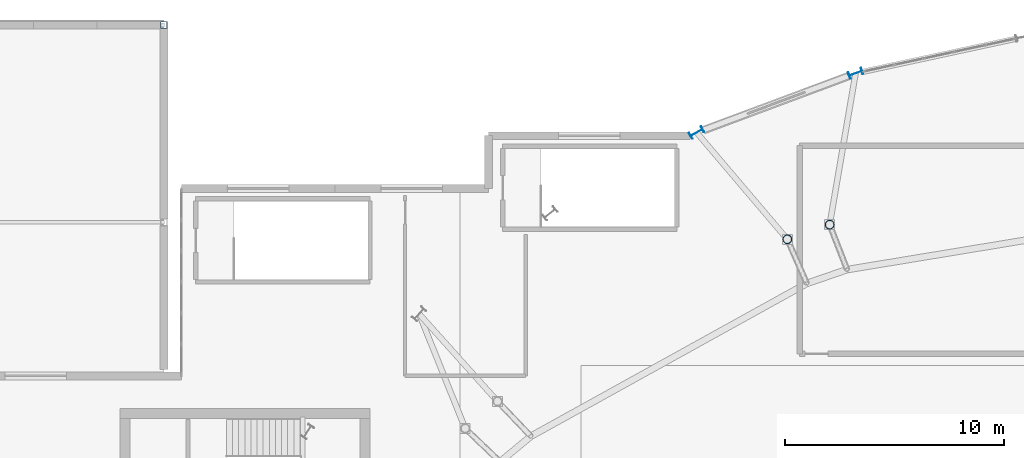
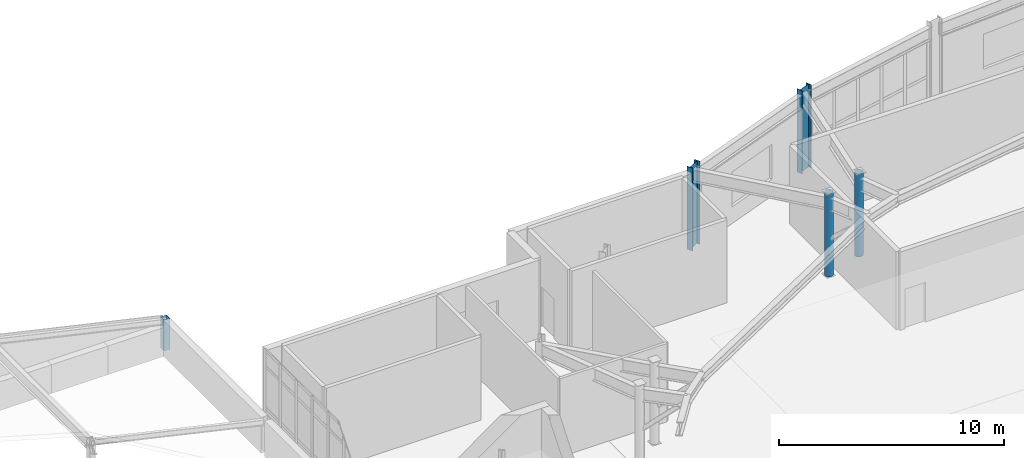
# One storey, part 9 of 48: 5 columns.
"""IFC4 building model written with IfcOpenShell, lengths in metres."""

from ifc_helpers import new_model, si_unit, direction, frame, origin, origin_2d, place, context, subcontext, project, spatial, hollow_rectangle, hollow_circle, i_section, extrude, material, material_profile, profile_set, type_object, element, save


model = new_model("IFC4")

# Units and contexts
model_context = context("Model", 3, precision=1e-05, world=origin(), true_north=direction((0.0, 1.0)))
body_context = subcontext(model_context, "Body", "Model", "MODEL_VIEW")
ifc_project = project(units=[si_unit("LENGTHUNIT", "METRE"), si_unit("AREAUNIT", "SQUARE_METRE"), si_unit("VOLUMEUNIT", "CUBIC_METRE"), si_unit("PLANEANGLEUNIT", "RADIAN"), si_unit("MASSUNIT", "GRAM", prefix="KILO")], contexts=[model_context])

# Site, building, storey
site_placement = place(None, origin())
site = spatial("IfcSite", under=ifc_project, at=site_placement, CompositionType="ELEMENT")
building_placement = place(site_placement, origin())
building = spatial("IfcBuilding", under=site, at=building_placement, Name="Glasvene Arena", CompositionType="ELEMENT")
storey_placement = place(building_placement, frame((0.0, 0.0, 19.5)))
storey = spatial("IfcBuildingStorey", under=building, at=storey_placement, Name="L04", CompositionType="ELEMENT", Elevation=19.5)

# Columns
ifc_material = material(Name="Steel S355J2", Category="steel")
ifc_material_profile_1 = material_profile(ifc_material, i_section(OverallWidth=0.300048828125, OverallDepth=0.64990234375, WebThickness=0.01611328125, FlangeThickness=0.031005859375, FilletRadius=0.027099609375, at=origin_2d()), Name="HEB 650")
ifc_profile_set_1 = profile_set([ifc_material_profile_1], Name="Steel S355J2")
column_type_1 = type_object("IfcColumnType", Name="COL-RING-HEB650", PredefinedType="COLUMN", material=ifc_profile_set_1)
for number, where, z_axis, x_axis, name in (
    (1, (76.54931640625, 115.797607421875, 0.0), (0.0, 0.0, 1.0), (-0.339558864524, 0.94058480613, 0.0), "Bowl ring column R13 L04"),
    (2, (69.300537109375, 113.09521484375, 0.0), (0.0, 0.0, 1.0), (-0.492727341548, 0.87018375467, 0.0), "Bowl ring column R14 L04"),
):
    element("IfcColumn", number, at=place(storey_placement, frame(where, z_axis=z_axis, x_axis=x_axis)), inside=storey, type_object=column_type_1, Name=name, PredefinedType="COLUMN", context=body_context, shape_type="SweptSolid", body=[
        extrude(i_section(OverallWidth=0.300048828125, OverallDepth=0.64990234375, WebThickness=0.01611328125, FlangeThickness=0.031005859375, FilletRadius=0.027099609375, at=origin_2d()), origin(), (0.0, 0.0, 1.0), 4.5),
    ])
ifc_material_profile_2 = material_profile(ifc_material, hollow_circle(Radius=0.203125, WallThickness=0.01611328125, at=origin_2d()), Name="CHS 406.4x16.0")
ifc_profile_set_2 = profile_set([ifc_material_profile_2], Name="Steel S355J2")
column_type_2 = type_object("IfcColumnType", Name="COL-W-CHS406", PredefinedType="COLUMN", material=ifc_profile_set_2)
for number, where, z_axis, x_axis, name in (
    (3, (75.365234375, 108.89453125, 0.0), (0.0, 0.0, 1.0), (1.0, 0.0, 0.0), "Gondola support column L04 05-2"),
    (4, (73.43701171875, 108.225830078125, 0.0), (0.0, 0.0, 1.0), (1.0, 0.0, 0.0), "Gondola support column L04 06-1"),
):
    element("IfcColumn", number, at=place(storey_placement, frame(where, z_axis=z_axis, x_axis=x_axis)), inside=storey, type_object=column_type_2, Name=name, PredefinedType="COLUMN", context=body_context, shape_type="SweptSolid", body=[
        extrude(hollow_circle(Radius=0.203125, WallThickness=0.01611328125, at=origin_2d()), origin(), (0.0, 0.0, 1.0), 4.5),
    ])
ifc_material_profile_3 = material_profile(ifc_material, hollow_rectangle(XDim=0.300048828125, YDim=0.300048828125, WallThickness=0.012451171875, at=origin_2d()), Name="SHS 300x300x12.5")
ifc_profile_set_3 = profile_set([ifc_material_profile_3], Name="Steel S355J2")
column_type_3 = type_object("IfcColumnType", Name="COL-W-SHS300", PredefinedType="COLUMN", material=ifc_profile_set_3)
column_placement = place(storey_placement, frame((45.0, 118.0, 0.0), z_axis=(0.0, 0.0, 1.0), x_axis=(1.0, 0.0, 0.0)))
element("IfcColumn", 5, at=column_placement, inside=storey, type_object=column_type_3, Name="Wing roof eave post V4-E-13", PredefinedType="COLUMN", context=body_context, shape_type="SweptSolid", body=[
    extrude(hollow_rectangle(XDim=0.300048828125, YDim=0.300048828125, WallThickness=0.012451171875, at=origin_2d()), origin(), (0.0, 0.0, 1.0), 1.68994140625),
])

save(model, "model.ifc")
